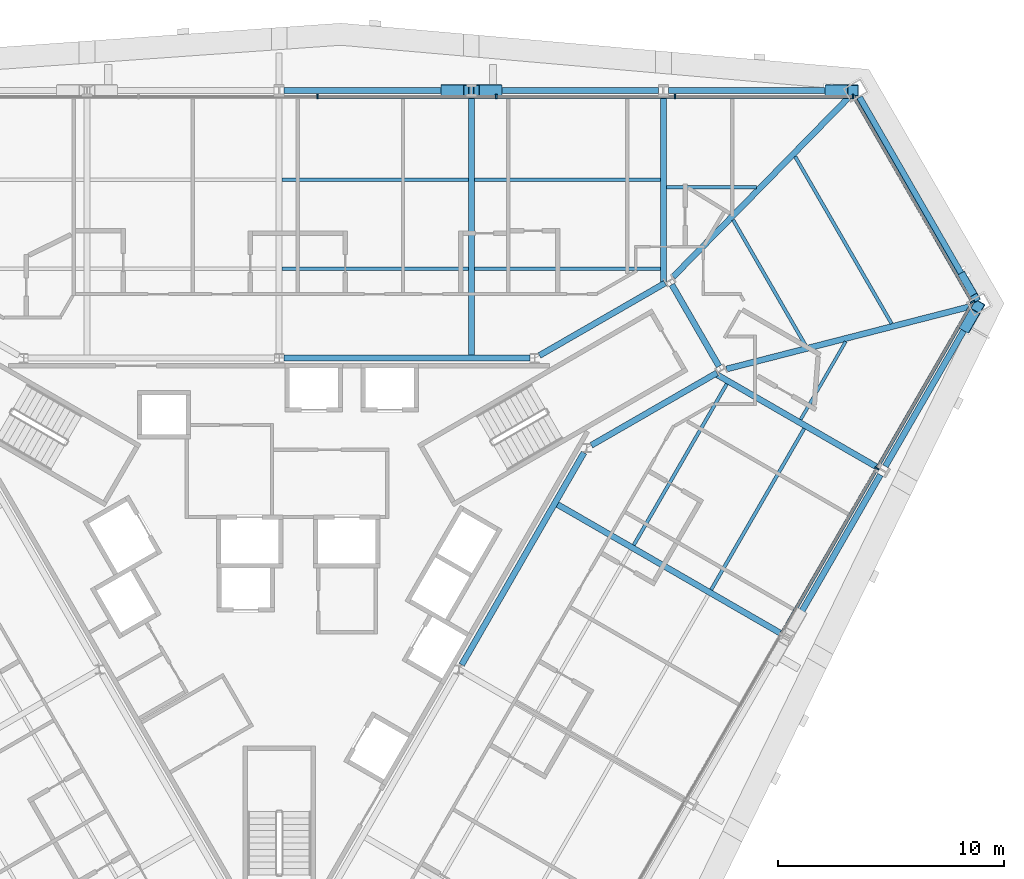
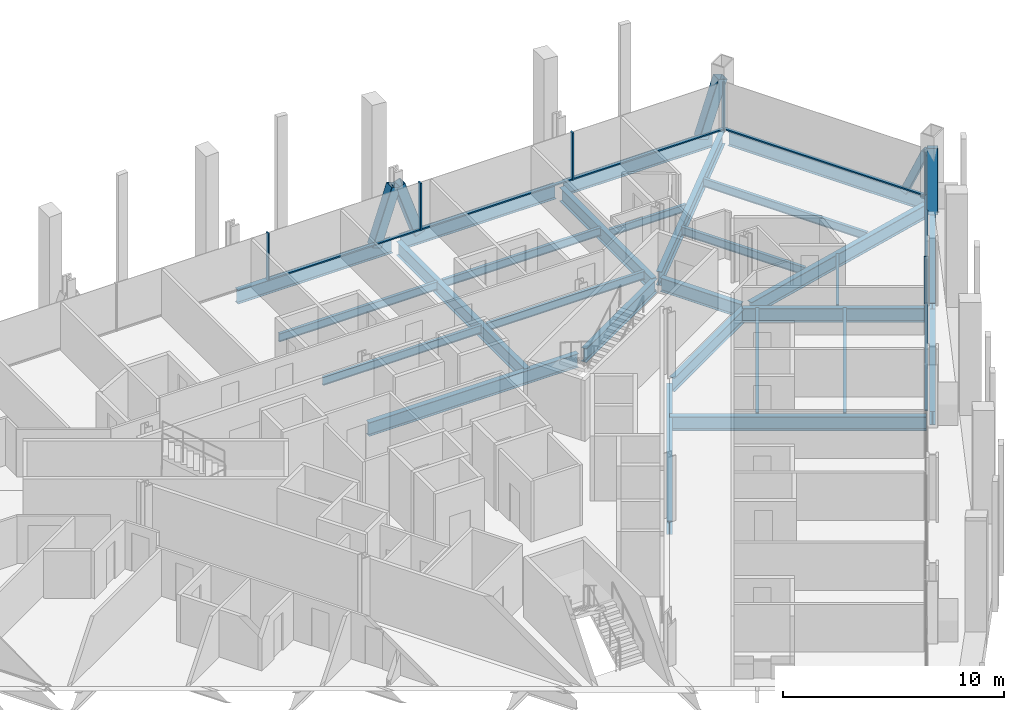
# One storey, part 9 of 19: 27 beams, 17 members, 3 elements without a shape of their own.
"""IFC4 building model written with IfcOpenShell, lengths in metres."""

from ifc_helpers import new_model, si_unit, direction, frame, origin, origin_2d, place, context, subcontext, project, spatial, rectangle, hollow_rectangle, i_section, extrude, material, material_profile, profile_set, type_object, element, aggregate, save


model = new_model("IFC4")

# Units and contexts
model_context = context("Model", 3, precision=1e-05, world=origin(), true_north=direction((0.0, 1.0)))
body_context = subcontext(model_context, "Body", "Model", "MODEL_VIEW")
ifc_project = project(units=[si_unit("LENGTHUNIT", "METRE"), si_unit("AREAUNIT", "SQUARE_METRE"), si_unit("VOLUMEUNIT", "CUBIC_METRE"), si_unit("PLANEANGLEUNIT", "RADIAN"), si_unit("MASSUNIT", "GRAM", prefix="KILO")], contexts=[model_context])

# Site, building, storey
site_placement = place(None, origin())
site = spatial("IfcSite", under=ifc_project, at=site_placement, CompositionType="ELEMENT")
building_placement = place(site_placement, origin())
building = spatial("IfcBuilding", under=site, at=building_placement, Name="Verrane Prism Tower", CompositionType="ELEMENT")
storey_placement = place(building_placement, frame((0.0, 0.0, 58.39990234375)))
storey = spatial("IfcBuildingStorey", under=building, at=storey_placement, Name="L12", CompositionType="ELEMENT", Elevation=58.39990234375)

# Member
ifc_material_1 = material(Name="Steel A500 Grade C", Category="steel")
ifc_material_profile_1 = material_profile(ifc_material_1, hollow_rectangle(XDim=0.355712890625, YDim=0.355712890625, WallThickness=0.0126953125, InnerFilletRadius=0.00634765625, OuterFilletRadius=0.01904296875, at=origin_2d()), Name="HSS14x14x1/2")
ifc_profile_set_1 = profile_set([ifc_material_profile_1], Name="Steel A500 Grade C")
member_type_1 = type_object("IfcMemberType", Name="Chamfer brace HSS14x14x1/2", PredefinedType="BRACE", material=ifc_profile_set_1)
member_1_placement = place(storey_placement, frame((30.303466796875, 12.83203125, -0.2451171875), z_axis=(0.199058141848, -0.345034112537, 0.917238964147), x_axis=(0.866185586049, 0.49972245349, 0.0)))
element("IfcMember", 1, at=member_1_placement, inside=storey, type_object=member_type_1, Name="Chamfer brace NE0 L12", PredefinedType="BRACE", context=body_context, shape_type="SweptSolid", body=[
    extrude(hollow_rectangle(XDim=0.355712890625, YDim=0.355712890625, WallThickness=0.0126953125, InnerFilletRadius=0.00634765625, OuterFilletRadius=0.01904296875, at=origin_2d()), origin(), (0.0, 0.0, 1.0), 2.79638671875),
])

# Beams
ifc_material_2 = material(Name="Steel A992", Category="steel")
ifc_material_profile_2 = material_profile(ifc_material_2, i_section(OverallWidth=0.2666015625, OverallDepth=0.76708984375, WebThickness=0.014892578125, FlangeThickness=0.023681640625, FilletRadius=0.0166015625, at=origin_2d()), Name="W30x124")
ifc_profile_set_2 = profile_set([ifc_material_profile_2], Name="Steel A992")
beam_type_1 = type_object("IfcBeamType", Name="Chamfer spandrel beam W30x124", PredefinedType="SPANDREL", material=ifc_profile_set_2)
beam_1_placement = place(storey_placement, frame((30.84521484375, 11.893310546875, -0.54345703125), z_axis=(-0.499796720239, 0.866142735603, 0.0), x_axis=(-0.866142735603, -0.499796720239, 0.0)))
element("IfcBeam", 2, at=beam_1_placement, inside=storey, type_object=beam_type_1, Name="Chamfer spandrel beam L12", PredefinedType="SPANDREL", context=body_context, shape_type="SweptSolid", body=[
    extrude(i_section(OverallWidth=0.2666015625, OverallDepth=0.76708984375, WebThickness=0.014892578125, FlangeThickness=0.023681640625, FilletRadius=0.0166015625, at=origin_2d()), origin(), (0.0, 0.0, 1.0), 10.244873046875),
])
ifc_material_3 = material(Name="Steel A992", Category="steel")
ifc_material_profile_3 = material_profile(ifc_material_3, i_section(OverallWidth=0.2666015625, OverallDepth=0.7568359375, WebThickness=0.013916015625, FlangeThickness=0.019287109375, FilletRadius=0.0166015625, at=origin_2d()), Name="W30x108")
ifc_profile_set_3 = profile_set([ifc_material_profile_3], Name="Steel A992")
beam_type_2 = type_object("IfcBeamType", Name="Core ring girder W30x108", PredefinedType="BEAM", material=ifc_profile_set_3)
beam_2_placement = place(storey_placement, frame((13.833251953125, 5.337158203125, -0.62841796875), z_axis=(0.86646365882, 0.499240150574, 0.0), x_axis=(-0.499240150574, 0.86646365882, 0.0)))
element("IfcBeam", 3, at=beam_2_placement, inside=storey, type_object=beam_type_2, Name="Core ring girder L12", PredefinedType="BEAM", context=body_context, shape_type="SweptSolid", body=[
    extrude(i_section(OverallWidth=0.2666015625, OverallDepth=0.7568359375, WebThickness=0.013916015625, FlangeThickness=0.019287109375, FilletRadius=0.0166015625, at=origin_2d()), origin(), (0.0, 0.0, 1.0), 6.42822265625),
])
beam_3_placement = place(storey_placement, frame((19.4951171875, 8.84130859375, -0.62841796875), z_axis=(-0.500349643494, 0.865823442888, 0.0), x_axis=(-0.865823442888, -0.500349643494, 0.0)))
element("IfcBeam", 4, at=beam_3_placement, inside=storey, type_object=beam_type_2, Name="Core ring girder L12", PredefinedType="BEAM", context=body_context, shape_type="SweptSolid", body=[
    extrude(i_section(OverallWidth=0.2666015625, OverallDepth=0.7568359375, WebThickness=0.013916015625, FlangeThickness=0.019287109375, FilletRadius=0.0166015625, at=origin_2d()), origin(), (0.0, 0.0, 1.0), 4.177734375),
])
beam_4_placement = place(storey_placement, frame((17.10302734375, 12.526611328125, -0.62841796875), z_axis=(-0.866447229751, -0.499268663203, 0.0), x_axis=(0.499268663203, -0.866447229751, 0.0)))
element("IfcBeam", 5, at=beam_4_placement, inside=storey, type_object=beam_type_2, Name="Core ring girder L12", PredefinedType="BEAM", context=body_context, shape_type="SweptSolid", body=[
    extrude(i_section(OverallWidth=0.2666015625, OverallDepth=0.7568359375, WebThickness=0.013916015625, FlangeThickness=0.019287109375, FilletRadius=0.0166015625, at=origin_2d()), origin(), (0.0, 0.0, 1.0), 6.428466796875),
])
beam_5_placement = place(storey_placement, frame((11.126708984375, 9.199951171875, -0.62841796875), z_axis=(-1.0, 0.0, 0.0), x_axis=(0.0, -1.0, 0.0)))
element("IfcBeam", 6, at=beam_5_placement, inside=storey, type_object=beam_type_2, Name="Core ring girder L12", PredefinedType="BEAM", context=body_context, shape_type="SweptSolid", body=[
    extrude(i_section(OverallWidth=0.2666015625, OverallDepth=0.7568359375, WebThickness=0.013916015625, FlangeThickness=0.019287109375, FilletRadius=0.0166015625, at=origin_2d()), origin(), (0.0, 0.0, 1.0), 10.923583984375),
])
beam_6_placement = place(storey_placement, frame((8.090087890625, -4.3916015625, -0.62841796875), z_axis=(0.499371892062, 0.866387738498, 0.0), x_axis=(-0.866387738498, 0.499371892062, 0.0)))
element("IfcBeam", 7, at=beam_6_placement, inside=storey, type_object=beam_type_2, Name="Core ring girder L12", PredefinedType="BEAM", context=body_context, shape_type="SweptSolid", body=[
    extrude(i_section(OverallWidth=0.2666015625, OverallDepth=0.7568359375, WebThickness=0.013916015625, FlangeThickness=0.019287109375, FilletRadius=0.0166015625, at=origin_2d()), origin(), (0.0, 0.0, 1.0), 10.853515625),
])
ifc_material_4 = material(Name="Steel A992", Category="steel")
ifc_material_profile_4 = material_profile(ifc_material_4, i_section(OverallWidth=0.2666015625, OverallDepth=0.76708984375, WebThickness=0.014892578125, FlangeThickness=0.023681640625, FilletRadius=0.0166015625, at=origin_2d()), Name="W30x124")
ifc_profile_set_4 = profile_set([ifc_material_profile_4], Name="Steel A992")
beam_type_3 = type_object("IfcBeamType", Name="Corner girder W30x124", PredefinedType="BEAM", material=ifc_profile_set_4)
beam_7_placement = place(storey_placement, frame((30.5673828125, 11.473876953125, -0.603515625), z_axis=(-0.968629214838, -0.248510450813, 0.0), x_axis=(0.248510450813, -0.968629214838, 0.0)))
element("IfcBeam", 8, at=beam_7_placement, inside=storey, type_object=beam_type_3, Name="Corner girder L12", PredefinedType="BEAM", context=body_context, shape_type="SweptSolid", body=[
    extrude(i_section(OverallWidth=0.2666015625, OverallDepth=0.76708984375, WebThickness=0.014892578125, FlangeThickness=0.023681640625, FilletRadius=0.0166015625, at=origin_2d()), origin(), (0.0, 0.0, 1.0), 11.086669921875),
])
beam_8_placement = place(storey_placement, frame((25.548828125, 21.06884765625, -0.603515625), z_axis=(-0.699429302474, -0.714701791547, 0.0), x_axis=(0.714701791547, -0.699429302474, 0.0)))
element("IfcBeam", 9, at=beam_8_placement, inside=storey, type_object=beam_type_3, Name="Corner girder L12", PredefinedType="BEAM", context=body_context, shape_type="SweptSolid", body=[
    extrude(i_section(OverallWidth=0.2666015625, OverallDepth=0.76708984375, WebThickness=0.014892578125, FlangeThickness=0.023681640625, FilletRadius=0.0166015625, at=origin_2d()), origin(), (0.0, 0.0, 1.0), 11.5576171875),
])

# Members
ifc_material_5 = material(Name="Steel A1085 Grade A", Category="steel")
ifc_material_profile_5 = material_profile(ifc_material_5, hollow_rectangle(XDim=0.508056640625, YDim=0.508056640625, WallThickness=0.025390625, InnerFilletRadius=0.0126953125, OuterFilletRadius=0.0380859375, at=origin_2d()), Name="HSS20x20x1")
ifc_profile_set_5 = profile_set([ifc_material_profile_5], Name="Steel A1085 Grade A")
member_type_2 = type_object("IfcMemberType", Name="Facade brace HSS20x20x1", PredefinedType="BRACE", material=ifc_profile_set_5)
member_2_placement = place(storey_placement, frame((24.432861328125, 21.070068359375, -0.242431640625), z_axis=(0.320322509025, 0.0, 0.947308550691), x_axis=(0.0, 1.0, 0.0)))
element("IfcMember", 10, at=member_2_placement, inside=storey, type_object=member_type_2, Name="Facade brace N0 L12", PredefinedType="BRACE", context=body_context, shape_type="SweptSolid", body=[
    extrude(hollow_rectangle(XDim=0.508056640625, YDim=0.508056640625, WallThickness=0.025390625, InnerFilletRadius=0.0126953125, OuterFilletRadius=0.0380859375, at=origin_2d()), origin(), (0.0, 0.0, 1.0), 3.1279296875),
])
member_3_placement = place(storey_placement, frame((9.6357421875, 21.070068359375, -0.242431640625), z_axis=(-0.319972229755, 0.0, 0.947426921818), x_axis=(0.0, -1.0, 0.0)))
element("IfcMember", 11, at=member_3_placement, inside=storey, type_object=member_type_2, Name="Facade brace N1 L12", PredefinedType="BRACE", context=body_context, shape_type="SweptSolid", body=[
    extrude(hollow_rectangle(XDim=0.508056640625, YDim=0.508056640625, WallThickness=0.025390625, InnerFilletRadius=0.0126953125, OuterFilletRadius=0.0380859375, at=origin_2d()), origin(), (0.0, 0.0, 1.0), 3.12744140625),
])
member_4_placement = place(storey_placement, frame((7.40283203125, 21.070068359375, -0.242431640625), z_axis=(0.320322509025, 0.0, 0.947308550691), x_axis=(0.0, 1.0, 0.0)))
element("IfcMember", 12, at=member_4_placement, inside=storey, type_object=member_type_2, Name="Facade brace N2 L12", PredefinedType="BRACE", context=body_context, shape_type="SweptSolid", body=[
    extrude(hollow_rectangle(XDim=0.508056640625, YDim=0.508056640625, WallThickness=0.025390625, InnerFilletRadius=0.0126953125, OuterFilletRadius=0.0380859375, at=origin_2d()), origin(), (0.0, 0.0, 1.0), 3.1279296875),
])
member_5_placement = place(storey_placement, frame((30.46142578125, 10.623779296875, -0.242431640625), z_axis=(0.160179167035, 0.277035021348, 0.947414498197), x_axis=(-0.865710057585, 0.5005457983, 0.0)))
element("IfcMember", 13, at=member_5_placement, inside=storey, type_object=member_type_2, Name="Facade brace SE5 L12", PredefinedType="BRACE", context=body_context, shape_type="SweptSolid", body=[
    extrude(hollow_rectangle(XDim=0.508056640625, YDim=0.508056640625, WallThickness=0.025390625, InnerFilletRadius=0.0126953125, OuterFilletRadius=0.0380859375, at=origin_2d()), origin(), (0.0, 0.0, 1.0), 3.127685546875),
])

# Beams
ifc_material_6 = material(Name="Steel A992", Category="steel")
ifc_material_profile_6 = material_profile(ifc_material_6, i_section(OverallWidth=0.140380859375, OverallDepth=0.40380859375, WebThickness=0.007080078125, FlangeThickness=0.01123046875, FilletRadius=0.01025390625, at=origin_2d()), Name="W16x31")
ifc_profile_set_6 = profile_set([ifc_material_profile_6], Name="Steel A992")
beam_type_4 = type_object("IfcBeamType", Name="Floor beam W16x31", PredefinedType="BEAM", material=ifc_profile_set_6)
beam_9_placement = place(storey_placement, frame((17.16357421875, 16.77490234375, -0.36181640625), z_axis=(1.0, 0.0, 0.0), x_axis=(0.0, 1.0, 0.0)))
element("IfcBeam", 14, at=beam_9_placement, inside=storey, type_object=beam_type_4, Name="Floor beam L12", PredefinedType="BEAM", context=body_context, shape_type="SweptSolid", body=[
    extrude(i_section(OverallWidth=0.140380859375, OverallDepth=0.40380859375, WebThickness=0.007080078125, FlangeThickness=0.01123046875, FilletRadius=0.01025390625, at=origin_2d()), origin(), (0.0, 0.0, 1.0), 3.996337890625),
])
beam_10_placement = place(storey_placement, frame((23.113525390625, 6.4794921875, -0.36181640625), z_axis=(0.500001357645, 0.866024619946, 0.0), x_axis=(-0.866024619946, 0.500001357645, 0.0)))
element("IfcBeam", 15, at=beam_10_placement, inside=storey, type_object=beam_type_4, Name="Floor beam L12", PredefinedType="BEAM", context=body_context, shape_type="SweptSolid", body=[
    extrude(i_section(OverallWidth=0.140380859375, OverallDepth=0.40380859375, WebThickness=0.007080078125, FlangeThickness=0.01123046875, FilletRadius=0.01025390625, at=origin_2d()), origin(), (0.0, 0.0, 1.0), 3.99072265625),
])
ifc_material_7 = material(Name="Steel A992", Category="steel")
ifc_material_profile_7 = material_profile(ifc_material_7, i_section(OverallWidth=0.15234375, OverallDepth=0.449462890625, WebThickness=0.007568359375, FlangeThickness=0.0107421875, FilletRadius=0.01025390625, at=origin_2d()), Name="W18x35")
ifc_profile_set_7 = profile_set([ifc_material_profile_7], Name="Steel A992")
beam_type_5 = type_object("IfcBeamType", Name="Floor beam W18x35", PredefinedType="BEAM", material=ifc_profile_set_7)
for number, where, z_axis, x_axis, name in (
    (16, (8.653564453125, 13.15673828125, -0.384765625), (1.0, 0.0, 0.0), (0.0, 1.0, 0.0), "Floor beam L12"),
    (17, (8.653564453125, 17.11328125, -0.384765625), (1.0, 0.0, 0.0), (0.0, 1.0, 0.0), "Floor beam L12"),
):
    element("IfcBeam", number, at=place(storey_placement, frame(where, z_axis=z_axis, x_axis=x_axis)), inside=storey, type_object=beam_type_5, Name=name, PredefinedType="BEAM", context=body_context, shape_type="SweptSolid", body=[
        extrude(i_section(OverallWidth=0.15234375, OverallDepth=0.449462890625, WebThickness=0.007568359375, FlangeThickness=0.0107421875, FilletRadius=0.01025390625, at=origin_2d()), origin(), (0.0, 0.0, 1.0), 8.242919921875),
    ])
for number, where, z_axis, x_axis, name in (
    (18, (0.133544921875, 13.15673828125, -0.384765625), (1.0, 0.0, 0.0), (0.0, 1.0, 0.0), "Floor beam L12"),
    (19, (0.133544921875, 17.11328125, -0.384765625), (1.0, 0.0, 0.0), (0.0, 1.0, 0.0), "Floor beam L12"),
):
    element("IfcBeam", number, at=place(storey_placement, frame(where, z_axis=z_axis, x_axis=x_axis)), inside=storey, type_object=beam_type_5, Name=name, PredefinedType="BEAM", context=body_context, shape_type="SweptSolid", body=[
        extrude(i_section(OverallWidth=0.15234375, OverallDepth=0.449462890625, WebThickness=0.007568359375, FlangeThickness=0.0107421875, FilletRadius=0.01025390625, at=origin_2d()), origin(), (0.0, 0.0, 1.0), 8.2529296875),
    ])
beam_11_placement = place(storey_placement, frame((19.146728515625, -1.064453125, -0.384765625), z_axis=(0.499987164874, 0.866032814021, 0.0), x_axis=(-0.866032814021, 0.499987164874, 0.0)))
element("IfcBeam", 20, at=beam_11_placement, inside=storey, type_object=beam_type_5, Name="Floor beam L12", PredefinedType="BEAM", context=body_context, shape_type="SweptSolid", body=[
    extrude(i_section(OverallWidth=0.15234375, OverallDepth=0.449462890625, WebThickness=0.007568359375, FlangeThickness=0.0107421875, FilletRadius=0.01025390625, at=origin_2d()), origin(), (0.0, 0.0, 1.0), 8.249755859375),
])
beam_12_placement = place(storey_placement, frame((15.716796875, 0.91552734375, -0.384765625), z_axis=(0.499996545922, 0.866027397988, 0.0), x_axis=(-0.866027397988, 0.499996545922, 0.0)))
element("IfcBeam", 21, at=beam_12_placement, inside=storey, type_object=beam_type_5, Name="Floor beam L12", PredefinedType="BEAM", context=body_context, shape_type="SweptSolid", body=[
    extrude(i_section(OverallWidth=0.15234375, OverallDepth=0.449462890625, WebThickness=0.007568359375, FlangeThickness=0.0107421875, FilletRadius=0.01025390625, at=origin_2d()), origin(), (0.0, 0.0, 1.0), 8.25),
])
beam_13_placement = place(storey_placement, frame((27.145263671875, 10.733642578125, -0.384765625), z_axis=(-0.499989342298, 0.866031556924, 0.0), x_axis=(-0.866031556924, -0.499989342298, 0.0)))
element("IfcBeam", 22, at=beam_13_placement, inside=storey, type_object=beam_type_5, Name="Floor beam L12", PredefinedType="BEAM", context=body_context, shape_type="SweptSolid", body=[
    extrude(i_section(OverallWidth=0.15234375, OverallDepth=0.449462890625, WebThickness=0.007568359375, FlangeThickness=0.0107421875, FilletRadius=0.01025390625, at=origin_2d()), origin(), (0.0, 0.0, 1.0), 8.552001953125),
])
beam_14_placement = place(storey_placement, frame((23.337158203125, 9.756591796875, -0.384765625), z_axis=(-0.49999063097, 0.866030812929, 0.0), x_axis=(-0.866030812929, -0.49999063097, 0.0)))
element("IfcBeam", 23, at=beam_14_placement, inside=storey, type_object=beam_type_5, Name="Floor beam L12", PredefinedType="BEAM", context=body_context, shape_type="SweptSolid", body=[
    extrude(i_section(OverallWidth=0.15234375, OverallDepth=0.449462890625, WebThickness=0.007568359375, FlangeThickness=0.0107421875, FilletRadius=0.01025390625, at=origin_2d()), origin(), (0.0, 0.0, 1.0), 6.435546875),
])

# Curtain wall, member
ifc_material_8 = material(Name="Aluminium framed insulated glazing", Category="aluminium")
curtain_wall_type = type_object("IfcCurtainWallType", Name="Curtain wall CW-A 8400 module", PredefinedType="NOTDEFINED", material=ifc_material_8)
curtain_wall_1_placement = place(storey_placement, origin())
curtain_wall_1 = element("IfcCurtainWall", 24, at=curtain_wall_1_placement, inside=storey, type_object=curtain_wall_type, Name="Glazed curtain wall north-east corner L12", PredefinedType="NOTDEFINED")
ifc_material_9 = material(Name="Aluminium alloy 6063-T6", Category="aluminium")
ifc_material_profile_8 = material_profile(ifc_material_9, rectangle(XDim=0.199951171875, YDim=0.070068359375, at=origin_2d()), Name="Mullion 70x200 aluminium")
ifc_profile_set_8 = profile_set([ifc_material_profile_8], Name="Aluminium alloy 6063-T6")
member_type_3 = type_object("IfcMemberType", Name="Mullion 70x200 aluminium", PredefinedType="MULLION", material=ifc_profile_set_8)
member_6_placement = place(storey_placement, frame((30.7255859375, 11.697021484375, 0.0), z_axis=(0.0, 0.0, 1.0), x_axis=(-0.866026104978, -0.499998785495, 0.0)))
member_6 = element("IfcMember", 25, at=member_6_placement, type_object=member_type_3, Name="CW12.1 mullion 1", PredefinedType="MULLION", context=body_context, shape_type="SweptSolid", body=[
    extrude(rectangle(XDim=0.199951171875, YDim=0.070068359375, at=origin_2d()), origin(), (0.0, 0.0, 1.0), 2.613037109375),
])

# Curtain wall, members
curtain_wall_2_placement = place(storey_placement, origin())
curtain_wall_2 = element("IfcCurtainWall", 26, at=curtain_wall_2_placement, inside=storey, type_object=curtain_wall_type, Name="Glazed curtain wall north face L12", PredefinedType="NOTDEFINED")
member_7_placement = place(storey_placement, frame((25.440185546875, 20.791015625, 0.0), z_axis=(0.0, 0.0, 1.0), x_axis=(0.0, -1.0, 0.0)))
member_7 = element("IfcMember", 27, at=member_7_placement, type_object=member_type_3, Name="CW12.2 mullion 1", PredefinedType="MULLION", context=body_context, shape_type="SweptSolid", body=[
    extrude(rectangle(XDim=0.199951171875, YDim=0.070068359375, at=origin_2d()), origin(), (0.0, 0.0, 1.0), 2.613037109375),
])
member_8_placement = place(storey_placement, frame((17.547607421875, 20.791015625, 0.0), z_axis=(0.0, 0.0, 1.0), x_axis=(0.0, -1.0, 0.0)))
member_8 = element("IfcMember", 28, at=member_8_placement, type_object=member_type_3, Name="CW12.2 mullion 2", PredefinedType="MULLION", context=body_context, shape_type="SweptSolid", body=[
    extrude(rectangle(XDim=0.199951171875, YDim=0.070068359375, at=origin_2d()), origin(), (0.0, 0.0, 1.0), 2.613037109375),
])
member_9_placement = place(storey_placement, frame((9.6201171875, 20.791015625, 0.0), z_axis=(0.0, 0.0, 1.0), x_axis=(0.0, -1.0, 0.0)))
member_9 = element("IfcMember", 29, at=member_9_placement, type_object=member_type_3, Name="CW12.2 mullion 3", PredefinedType="MULLION", context=body_context, shape_type="SweptSolid", body=[
    extrude(rectangle(XDim=0.199951171875, YDim=0.070068359375, at=origin_2d()), origin(), (0.0, 0.0, 1.0), 2.613037109375),
])
member_10_placement = place(storey_placement, frame((1.692626953125, 20.791015625, 0.0), z_axis=(0.0, 0.0, 1.0), x_axis=(0.0, -1.0, 0.0)))
member_10 = element("IfcMember", 30, at=member_10_placement, type_object=member_type_3, Name="CW12.2 mullion 4", PredefinedType="MULLION", context=body_context, shape_type="SweptSolid", body=[
    extrude(rectangle(XDim=0.199951171875, YDim=0.070068359375, at=origin_2d()), origin(), (0.0, 0.0, 1.0), 2.613037109375),
])

# Curtain wall, member
curtain_wall_3_placement = place(storey_placement, origin())
curtain_wall_3 = element("IfcCurtainWall", 31, at=curtain_wall_3_placement, inside=storey, type_object=curtain_wall_type, Name="Glazed curtain wall south-east face L12", PredefinedType="NOTDEFINED")
member_11_placement = place(storey_placement, frame((26.497314453125, 4.312744140625, 0.0), z_axis=(0.0, 0.0, 1.0), x_axis=(-0.866025694591, 0.499999496308, 0.0)))
member_11 = element("IfcMember", 32, at=member_11_placement, type_object=member_type_3, Name="CW12.6 mullion 6", PredefinedType="MULLION", context=body_context, shape_type="SweptSolid", body=[
    extrude(rectangle(XDim=0.199951171875, YDim=0.070068359375, at=origin_2d()), origin(), (0.0, 0.0, 1.0), 2.613037109375),
])

# Beams
ifc_material_10 = material(Name="Steel A992", Category="steel")
ifc_material_profile_9 = material_profile(ifc_material_10, i_section(OverallWidth=0.2666015625, OverallDepth=0.76708984375, WebThickness=0.014892578125, FlangeThickness=0.023681640625, FilletRadius=0.0166015625, at=origin_2d()), Name="W30x124")
ifc_profile_set_9 = profile_set([ifc_material_profile_9], Name="Steel A992")
beam_type_6 = type_object("IfcBeamType", Name="Radial girder W30x124", PredefinedType="BEAM", material=ifc_profile_set_9)
beam_15_placement = place(storey_placement, frame((17.030029296875, 20.8046875, -0.603515625), z_axis=(0.0, -1.0, 0.0), x_axis=(1.0, 0.0, 0.0)))
element("IfcBeam", 33, at=beam_15_placement, inside=storey, type_object=beam_type_6, Name="Radial girder L12", PredefinedType="BEAM", context=body_context, shape_type="SweptSolid", body=[
    extrude(i_section(OverallWidth=0.2666015625, OverallDepth=0.76708984375, WebThickness=0.014892578125, FlangeThickness=0.023681640625, FilletRadius=0.0166015625, at=origin_2d()), origin(), (0.0, 0.0, 1.0), 8.3203125),
])
beam_16_placement = place(storey_placement, frame((8.52001953125, 20.8046875, -0.603515625), z_axis=(0.0, -1.0, 0.0), x_axis=(1.0, 0.0, 0.0)))
element("IfcBeam", 34, at=beam_16_placement, inside=storey, type_object=beam_type_6, Name="Radial girder L12", PredefinedType="BEAM", context=body_context, shape_type="SweptSolid", body=[
    extrude(i_section(OverallWidth=0.2666015625, OverallDepth=0.76708984375, WebThickness=0.014892578125, FlangeThickness=0.023681640625, FilletRadius=0.0166015625, at=origin_2d()), origin(), (0.0, 0.0, 1.0), 11.604736328125),
])
beam_17_placement = place(storey_placement, frame((22.280029296875, -3.02734375, -0.603515625), z_axis=(-0.866023488761, 0.500003316903, 0.0), x_axis=(-0.500003316903, -0.866023488761, 0.0)))
element("IfcBeam", 35, at=beam_17_placement, inside=storey, type_object=beam_type_6, Name="Radial girder L12", PredefinedType="BEAM", context=body_context, shape_type="SweptSolid", body=[
    extrude(i_section(OverallWidth=0.2666015625, OverallDepth=0.76708984375, WebThickness=0.014892578125, FlangeThickness=0.023681640625, FilletRadius=0.0166015625, at=origin_2d()), origin(), (0.0, 0.0, 1.0), 11.61279296875),
])
beam_18_placement = place(storey_placement, frame((26.530029296875, 4.352783203125, -0.603515625), z_axis=(-0.866021168401, 0.500007335828, 0.0), x_axis=(-0.500007335828, -0.866021168401, 0.0)))
element("IfcBeam", 36, at=beam_18_placement, inside=storey, type_object=beam_type_6, Name="Radial girder L12", PredefinedType="BEAM", context=body_context, shape_type="SweptSolid", body=[
    extrude(i_section(OverallWidth=0.2666015625, OverallDepth=0.76708984375, WebThickness=0.014892578125, FlangeThickness=0.023681640625, FilletRadius=0.0166015625, at=origin_2d()), origin(), (0.0, 0.0, 1.0), 8.30859375),
])
ifc_material_11 = material(Name="Steel A992", Category="steel")
ifc_material_profile_10 = material_profile(ifc_material_11, i_section(OverallWidth=0.2666015625, OverallDepth=0.7568359375, WebThickness=0.013916015625, FlangeThickness=0.019287109375, FilletRadius=0.0166015625, at=origin_2d()), Name="W30x108")
ifc_profile_set_10 = profile_set([ifc_material_profile_10], Name="Steel A992")
beam_type_7 = type_object("IfcBeamType", Name="Spandrel beam W30x108", PredefinedType="SPANDREL", material=ifc_profile_set_10)
beam_19_placement = place(storey_placement, frame((25.030517578125, 21.070068359375, -0.538330078125), z_axis=(-1.0, 0.0, 0.0), x_axis=(0.0, -1.0, 0.0)))
element("IfcBeam", 37, at=beam_19_placement, inside=storey, type_object=beam_type_7, Name="Spandrel beam L12", PredefinedType="SPANDREL", context=body_context, shape_type="SweptSolid", body=[
    extrude(i_section(OverallWidth=0.2666015625, OverallDepth=0.7568359375, WebThickness=0.013916015625, FlangeThickness=0.019287109375, FilletRadius=0.0166015625, at=origin_2d()), origin(), (0.0, 0.0, 1.0), 7.779541015625),
])
beam_20_placement = place(storey_placement, frame((16.80908203125, 21.070068359375, -0.538330078125), z_axis=(-1.0, 0.0, 0.0), x_axis=(0.0, -1.0, 0.0)))
element("IfcBeam", 38, at=beam_20_placement, inside=storey, type_object=beam_type_7, Name="Spandrel beam L12", PredefinedType="SPANDREL", context=body_context, shape_type="SweptSolid", body=[
    extrude(i_section(OverallWidth=0.2666015625, OverallDepth=0.7568359375, WebThickness=0.013916015625, FlangeThickness=0.019287109375, FilletRadius=0.0166015625, at=origin_2d()), origin(), (0.0, 0.0, 1.0), 8.068115234375),
])
beam_21_placement = place(storey_placement, frame((8.299072265625, 21.070068359375, -0.538330078125), z_axis=(-1.0, 0.0, 0.0), x_axis=(0.0, -1.0, 0.0)))
element("IfcBeam", 39, at=beam_21_placement, inside=storey, type_object=beam_type_7, Name="Spandrel beam L12", PredefinedType="SPANDREL", context=body_context, shape_type="SweptSolid", body=[
    extrude(i_section(OverallWidth=0.2666015625, OverallDepth=0.7568359375, WebThickness=0.013916015625, FlangeThickness=0.019287109375, FilletRadius=0.0166015625, at=origin_2d()), origin(), (0.0, 0.0, 1.0), 8.078125),
])
beam_22_placement = place(storey_placement, frame((22.620361328125, -2.968505859375, -0.538330078125), z_axis=(0.499027753089, 0.866586003607, 0.0), x_axis=(-0.866586003607, 0.499027753089, 0.0)))
element("IfcBeam", 40, at=beam_22_placement, inside=storey, type_object=beam_type_7, Name="Spandrel beam L12", PredefinedType="SPANDREL", context=body_context, shape_type="SweptSolid", body=[
    extrude(i_section(OverallWidth=0.2666015625, OverallDepth=0.7568359375, WebThickness=0.013916015625, FlangeThickness=0.019287109375, FilletRadius=0.0166015625, at=origin_2d()), origin(), (0.0, 0.0, 1.0), 8.07421875),
])
beam_23_placement = place(storey_placement, frame((26.87060546875, 4.411376953125, -0.538330078125), z_axis=(0.500425695968, 0.865779488562, 0.0), x_axis=(-0.865779488562, 0.500425695968, 0.0)))
element("IfcBeam", 41, at=beam_23_placement, inside=storey, type_object=beam_type_7, Name="Spandrel beam L12", PredefinedType="SPANDREL", context=body_context, shape_type="SweptSolid", body=[
    extrude(i_section(OverallWidth=0.2666015625, OverallDepth=0.7568359375, WebThickness=0.013916015625, FlangeThickness=0.019287109375, FilletRadius=0.0166015625, at=origin_2d()), origin(), (0.0, 0.0, 1.0), 7.772216796875),
])

# Member
ifc_material_12 = material(Name="Aluminium alloy 6063-T6", Category="aluminium")
ifc_material_profile_11 = material_profile(ifc_material_12, rectangle(XDim=0.14990234375, YDim=0.070068359375, at=origin_2d()), Name="Transom 70x150 aluminium")
ifc_profile_set_11 = profile_set([ifc_material_profile_11], Name="Aluminium alloy 6063-T6")
member_type_4 = type_object("IfcMemberType", Name="Transom 70x150 aluminium", PredefinedType="USERDEFINED", material=ifc_profile_set_11)
member_12_placement = place(storey_placement, frame((30.7080078125, 11.727294921875, 0.03515625), z_axis=(-0.499997747565, 0.866026704225, 0.0), x_axis=(-0.866026704225, -0.499997747565, 0.0)))
member_12 = element("IfcMember", 42, at=member_12_placement, type_object=member_type_4, Name="CW12.1 transom 1", ObjectType="TRANSOM", PredefinedType="USERDEFINED", context=body_context, shape_type="SweptSolid", body=[
    extrude(rectangle(XDim=0.14990234375, YDim=0.070068359375, at=origin_2d()), origin(), (0.0, 0.0, 1.0), 10.4658203125),
])

aggregate(curtain_wall_1, [member_6, member_12])

member_13_placement = place(storey_placement, frame((25.4052734375, 20.791015625, 0.03515625), z_axis=(-1.0, 0.0, 0.0), x_axis=(0.0, -1.0, 0.0)))
member_13 = element("IfcMember", 43, at=member_13_placement, type_object=member_type_4, Name="CW12.2 transom 1", ObjectType="TRANSOM", PredefinedType="USERDEFINED", context=body_context, shape_type="SweptSolid", body=[
    extrude(rectangle(XDim=0.14990234375, YDim=0.070068359375, at=origin_2d()), origin(), (0.0, 0.0, 1.0), 7.822509765625),
])

member_14_placement = place(storey_placement, frame((17.5126953125, 20.791015625, 0.03515625), z_axis=(-1.0, 0.0, 0.0), x_axis=(0.0, -1.0, 0.0)))
member_14 = element("IfcMember", 44, at=member_14_placement, type_object=member_type_4, Name="CW12.2 transom 2", ObjectType="TRANSOM", PredefinedType="USERDEFINED", context=body_context, shape_type="SweptSolid", body=[
    extrude(rectangle(XDim=0.14990234375, YDim=0.070068359375, at=origin_2d()), origin(), (0.0, 0.0, 1.0), 7.857421875),
])

member_15_placement = place(storey_placement, frame((9.585205078125, 20.791015625, 0.03515625), z_axis=(-1.0, 0.0, 0.0), x_axis=(0.0, -1.0, 0.0)))
member_15 = element("IfcMember", 45, at=member_15_placement, type_object=member_type_4, Name="CW12.2 transom 3", ObjectType="TRANSOM", PredefinedType="USERDEFINED", context=body_context, shape_type="SweptSolid", body=[
    extrude(rectangle(XDim=0.14990234375, YDim=0.070068359375, at=origin_2d()), origin(), (0.0, 0.0, 1.0), 7.857666015625),
])

aggregate(curtain_wall_2, [member_7, member_8, member_9, member_10, member_13, member_14, member_15])

member_16_placement = place(storey_placement, frame((22.268798828125, -3.01123046875, 0.03515625), z_axis=(0.500005175824, 0.866022415501, 0.0), x_axis=(-0.866022415501, 0.500005175824, 0.0)))
member_16 = element("IfcMember", 46, at=member_16_placement, type_object=member_type_4, Name="CW12.6 transom 5", ObjectType="TRANSOM", PredefinedType="USERDEFINED", context=body_context, shape_type="SweptSolid", body=[
    extrude(rectangle(XDim=0.14990234375, YDim=0.070068359375, at=origin_2d()), origin(), (0.0, 0.0, 1.0), 8.421875),
])

member_17_placement = place(storey_placement, frame((26.5146484375, 4.343017578125, 0.03515625), z_axis=(0.500014000576, 0.866017320397, 0.0), x_axis=(-0.866017320397, 0.500014000576, 0.0)))
member_17 = element("IfcMember", 47, at=member_17_placement, type_object=member_type_4, Name="CW12.6 transom 6", ObjectType="TRANSOM", PredefinedType="USERDEFINED", context=body_context, shape_type="SweptSolid", body=[
    extrude(rectangle(XDim=0.14990234375, YDim=0.070068359375, at=origin_2d()), origin(), (0.0, 0.0, 1.0), 8.456787109375),
])

aggregate(curtain_wall_3, [member_11, member_16, member_17])

save(model, "model.ifc")
